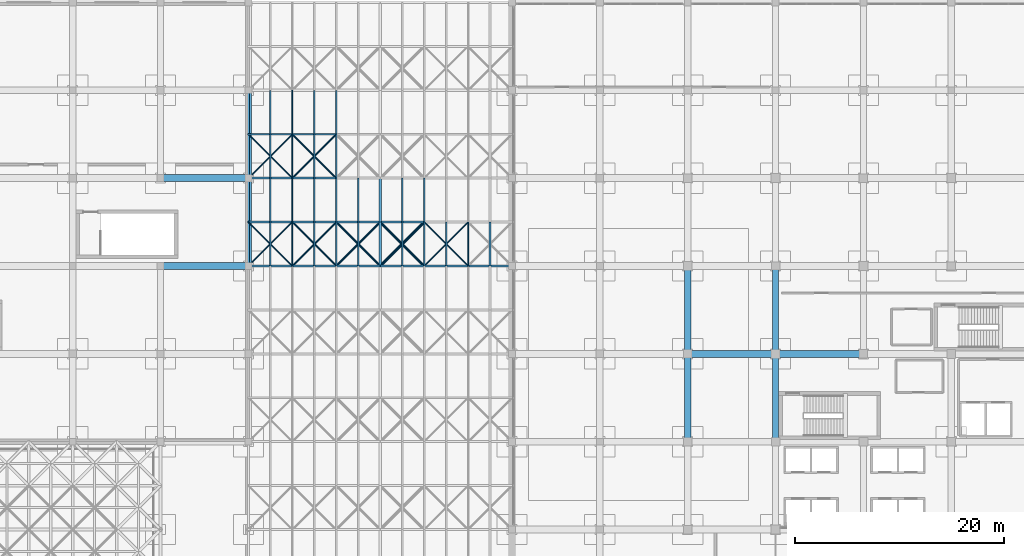
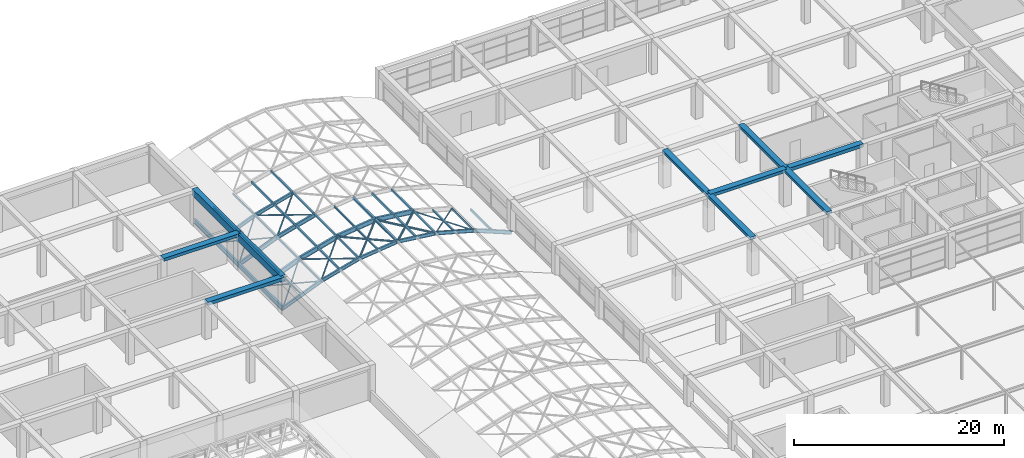
# One storey, part 38 of 85: 55 members, 12 beams.
"""IFC4 building model written with IfcOpenShell, lengths in metres."""

from ifc_helpers import new_model, si_unit, direction, frame, origin, origin_2d, place, context, subcontext, project, spatial, rectangle, hollow_rectangle, hollow_circle, i_section, extrude, material, material_profile, profile_set, type_object, element, save


model = new_model("IFC4")

# Units and contexts
model_context = context("Model", 3, precision=1e-05, world=origin(), true_north=direction((0.0, 1.0)))
body_context = subcontext(model_context, "Body", "Model", "MODEL_VIEW")
ifc_project = project(units=[si_unit("LENGTHUNIT", "METRE"), si_unit("AREAUNIT", "SQUARE_METRE"), si_unit("VOLUMEUNIT", "CUBIC_METRE"), si_unit("PLANEANGLEUNIT", "RADIAN"), si_unit("MASSUNIT", "GRAM", prefix="KILO")], contexts=[model_context])

# Site, building, storey
site_placement = place(None, origin())
site = spatial("IfcSite", under=ifc_project, at=site_placement, CompositionType="ELEMENT")
building_placement = place(site_placement, origin())
building = spatial("IfcBuilding", under=site, at=building_placement, Name="Almacenes y Pasaje Nevantli", CompositionType="ELEMENT")
storey_placement = place(building_placement, frame((0.0, 0.0, 22.199951171875)))
storey = spatial("IfcBuildingStorey", under=building, at=storey_placement, Name="L05", CompositionType="ELEMENT", Elevation=22.199951171875)

# Beams
ifc_material_1 = material(Name="Concrete C35/45", Category="concrete")
ifc_material_profile_1 = material_profile(ifc_material_1, rectangle(XDim=0.550048828125, YDim=0.800048828125, at=origin_2d()), Name="RC-BM-550x800")
ifc_profile_set_1 = profile_set([ifc_material_profile_1], Name="Concrete C35/45")
beam_type_1 = type_object("IfcBeamType", Name="BM-RC-550x800", PredefinedType="BEAM", material=ifc_profile_set_1)
beam_1_placement = place(storey_placement, frame((67.199951171875, 92.39990234375, 3.820068359375), z_axis=(0.0, 1.0, 0.0), x_axis=(-1.0, 0.0, 0.0)))
element("IfcBeam", 1, at=beam_1_placement, inside=storey, type_object=beam_type_1, Name="L05 North-South Reinforced Concrete Beam #3461", PredefinedType="BEAM", context=body_context, shape_type="SweptSolid", body=[
    extrude(rectangle(XDim=0.550048828125, YDim=0.800048828125, at=origin_2d()), origin(), (0.0, 0.0, 1.0), 8.400146484375),
])
beam_2_placement = place(storey_placement, frame((67.199951171875, 100.800048828125, 3.820068359375), z_axis=(0.0, 1.0, 0.0), x_axis=(-1.0, 0.0, 0.0)))
element("IfcBeam", 2, at=beam_2_placement, inside=storey, type_object=beam_type_1, Name="L05 North-South Reinforced Concrete Beam #3462", PredefinedType="BEAM", context=body_context, shape_type="SweptSolid", body=[
    extrude(rectangle(XDim=0.550048828125, YDim=0.800048828125, at=origin_2d()), origin(), (0.0, 0.0, 1.0), 8.39990234375),
])
ifc_material_2 = material(Name="Concrete C35/45", Category="concrete")
ifc_material_profile_2 = material_profile(ifc_material_2, rectangle(XDim=0.60009765625, YDim=0.320068359375, at=origin_2d()), Name="RC-BM-600x320")
ifc_profile_set_2 = profile_set([ifc_material_profile_2], Name="Concrete C35/45")
beam_type_2 = type_object("IfcBeamType", Name="BM-RC-600x320", PredefinedType="BEAM", material=ifc_profile_set_2)
for number, where, z_axis, x_axis, name in (
    (3, (109.199951171875, 84.0, 4.06005859375), (0.0, 1.0, 0.0), (-1.0, 0.0, 0.0), "L05 North-South Reinforced Concrete Beam #3500"),
    (4, (117.60009765625, 75.60009765625, 4.06005859375), (0.0, 1.0, 0.0), (-1.0, 0.0, 0.0), "L05 North-South Reinforced Concrete Beam #3508"),
):
    element("IfcBeam", number, at=place(storey_placement, frame(where, z_axis=z_axis, x_axis=x_axis)), inside=storey, type_object=beam_type_2, Name=name, PredefinedType="BEAM", context=body_context, shape_type="SweptSolid", body=[
        extrude(rectangle(XDim=0.60009765625, YDim=0.320068359375, at=origin_2d()), origin(), (0.0, 0.0, 1.0), 8.39990234375),
    ])
ifc_material_3 = material(Name="Concrete C35/45", Category="concrete")
ifc_material_profile_3 = material_profile(ifc_material_3, rectangle(XDim=0.60009765625, YDim=0.340087890625, at=origin_2d()), Name="RC-BM-600x340")
ifc_profile_set_3 = profile_set([ifc_material_profile_3], Name="Concrete C35/45")
beam_type_3 = type_object("IfcBeamType", Name="BM-RC-600x340", PredefinedType="BEAM", material=ifc_profile_set_3)
for number, where, z_axis, x_axis, name in (
    (5, (109.199951171875, 75.60009765625, 4.050048828125), (0.0, 1.0, 0.0), (-1.0, 0.0, 0.0), "L05 North-South Reinforced Concrete Beam #3499"),
    (6, (117.60009765625, 84.0, 4.050048828125), (0.0, 1.0, 0.0), (-1.0, 0.0, 0.0), "L05 North-South Reinforced Concrete Beam #3509"),
):
    element("IfcBeam", number, at=place(storey_placement, frame(where, z_axis=z_axis, x_axis=x_axis)), inside=storey, type_object=beam_type_3, Name=name, PredefinedType="BEAM", context=body_context, shape_type="SweptSolid", body=[
        extrude(rectangle(XDim=0.60009765625, YDim=0.340087890625, at=origin_2d()), origin(), (0.0, 0.0, 1.0), 8.39990234375),
    ])
ifc_material_4 = material(Name="Concrete C35/45", Category="concrete")
ifc_material_profile_4 = material_profile(ifc_material_4, rectangle(XDim=0.64990234375, YDim=0.35009765625, at=origin_2d()), Name="RC-BM-650x350")
ifc_profile_set_4 = profile_set([ifc_material_profile_4], Name="Concrete C35/45")
beam_type_4 = type_object("IfcBeamType", Name="BM-RC-650x350", PredefinedType="BEAM", material=ifc_profile_set_4)
beam_3_placement = place(storey_placement, frame((109.199951171875, 84.0, 4.045166015625), z_axis=(1.0, 0.0, 0.0), x_axis=(0.0, 1.0, 0.0)))
element("IfcBeam", 7, at=beam_3_placement, inside=storey, type_object=beam_type_4, Name="L05 East-West Reinforced Concrete Beam #3347", PredefinedType="BEAM", context=body_context, shape_type="SweptSolid", body=[
    extrude(rectangle(XDim=0.64990234375, YDim=0.35009765625, at=origin_2d()), origin(), (0.0, 0.0, 1.0), 8.400146484375),
])
beam_4_placement = place(storey_placement, frame((58.800048828125, 100.800048828125, 4.045166015625), z_axis=(1.0, 0.0, 0.0), x_axis=(0.0, 1.0, 0.0)))
element("IfcBeam", 8, at=beam_4_placement, inside=storey, type_object=beam_type_4, Name="L05 East-West Reinforced Concrete Beam #3378", PredefinedType="BEAM", context=body_context, shape_type="SweptSolid", body=[
    extrude(rectangle(XDim=0.64990234375, YDim=0.35009765625, at=origin_2d()), origin(), (0.0, 0.0, 1.0), 8.39990234375),
])
ifc_material_5 = material(Name="Concrete C35/45", Category="concrete")
ifc_material_profile_5 = material_profile(ifc_material_5, rectangle(XDim=0.64990234375, YDim=0.3798828125, at=origin_2d()), Name="RC-BM-650x380")
ifc_profile_set_5 = profile_set([ifc_material_profile_5], Name="Concrete C35/45")
beam_type_5 = type_object("IfcBeamType", Name="BM-RC-650x380", PredefinedType="BEAM", material=ifc_profile_set_5)
for number, where, z_axis, x_axis, name in (
    (9, (117.60009765625, 84.0, 4.030029296875), (1.0, 0.0, 0.0), (0.0, 1.0, 0.0), "L05 East-West Reinforced Concrete Beam #3348"),
    (10, (58.800048828125, 92.39990234375, 4.030029296875), (1.0, 0.0, 0.0), (0.0, 1.0, 0.0), "L05 East-West Reinforced Concrete Beam #3361"),
):
    element("IfcBeam", number, at=place(storey_placement, frame(where, z_axis=z_axis, x_axis=x_axis)), inside=storey, type_object=beam_type_5, Name=name, PredefinedType="BEAM", context=body_context, shape_type="SweptSolid", body=[
        extrude(rectangle(XDim=0.64990234375, YDim=0.3798828125, at=origin_2d()), origin(), (0.0, 0.0, 1.0), 8.39990234375),
    ])
ifc_material_6 = material(Name="Steel ASTM A992", Category="steel")
ifc_material_profile_6 = material_profile(ifc_material_6, i_section(OverallWidth=0.208984375, OverallDepth=0.532958984375, WebThickness=0.01025390625, FlangeThickness=0.015625, at=origin_2d()), Name="IR 533x92.5")
ifc_profile_set_6 = profile_set([ifc_material_profile_6], Name="Steel ASTM A992")
beam_type_6 = type_object("IfcBeamType", Name="BM-STL-IR-533x92p5", PredefinedType="BEAM", material=ifc_profile_set_6)
beam_5_placement = place(storey_placement, frame((67.199951171875, 92.39990234375, 0.400146484375), z_axis=(0.0, 1.0, 0.0), x_axis=(-1.0, 0.0, 0.0)))
element("IfcBeam", 11, at=beam_5_placement, inside=storey, type_object=beam_type_6, Name="L05 Arcade Barrel Vault Eave Steel Girder #1.12", PredefinedType="BEAM", context=body_context, shape_type="SweptSolid", body=[
    extrude(i_section(OverallWidth=0.208984375, OverallDepth=0.532958984375, WebThickness=0.01025390625, FlangeThickness=0.015625, at=origin_2d()), origin(), (0.0, 0.0, 1.0), 8.400146484375),
])
beam_6_placement = place(storey_placement, frame((67.199951171875, 100.800048828125, 0.400146484375), z_axis=(0.0, 1.0, 0.0), x_axis=(-1.0, 0.0, 0.0)))
element("IfcBeam", 12, at=beam_6_placement, inside=storey, type_object=beam_type_6, Name="L05 Arcade Barrel Vault Eave Steel Girder #1.13", PredefinedType="BEAM", context=body_context, shape_type="SweptSolid", body=[
    extrude(i_section(OverallWidth=0.208984375, OverallDepth=0.532958984375, WebThickness=0.01025390625, FlangeThickness=0.015625, at=origin_2d()), origin(), (0.0, 0.0, 1.0), 8.39990234375),
])

# Members
ifc_material_7 = material(Name="Steel ASTM A992", Category="steel")
ifc_material_profile_7 = material_profile(ifc_material_7, i_section(OverallWidth=0.180908203125, OverallDepth=0.406005859375, WebThickness=0.010986328125, FlangeThickness=0.018310546875, at=origin_2d()), Name="IR 406x85.0")
ifc_profile_set_7 = profile_set([ifc_material_profile_7], Name="Steel ASTM A992")
member_type_1 = type_object("IfcMemberType", Name="MBR-ARCH-IR406x85", PredefinedType="USERDEFINED", material=ifc_profile_set_7)
member_1_placement = place(storey_placement, frame((67.199951171875, 92.39990234375, 0.400146484375), z_axis=(0.926949044115, 0.0, 0.375187246072), x_axis=(0.0, 1.0, 0.0)))
element("IfcMember", 13, at=member_1_placement, inside=storey, type_object=member_type_1, Name="Arcade Barrel Vault Steel Arch Rib 23.1", ObjectType="ARCH RIB", PredefinedType="USERDEFINED", context=body_context, shape_type="SweptSolid", body=[
    extrude(i_section(OverallWidth=0.180908203125, OverallDepth=0.406005859375, WebThickness=0.010986328125, FlangeThickness=0.018310546875, at=origin_2d()), origin(), (0.0, 0.0, 1.0), 4.531005859375),
])
member_2_placement = place(storey_placement, frame((71.39990234375, 92.39990234375, 2.10009765625), z_axis=(0.964507199401, 0.0, 0.264056551336), x_axis=(0.0, 1.0, 0.0)))
element("IfcMember", 14, at=member_2_placement, inside=storey, type_object=member_type_1, Name="Arcade Barrel Vault Steel Arch Rib 23.2", ObjectType="ARCH RIB", PredefinedType="USERDEFINED", context=body_context, shape_type="SweptSolid", body=[
    extrude(i_section(OverallWidth=0.180908203125, OverallDepth=0.406005859375, WebThickness=0.010986328125, FlangeThickness=0.018310546875, at=origin_2d()), origin(), (0.0, 0.0, 1.0), 4.354736328125),
])
for number, where, z_axis, x_axis, name in (
    (15, (75.60009765625, 92.39990234375, 3.25), (0.99298811287, 0.0, 0.118214244908), (0.0, 1.0, 0.0), "Arcade Barrel Vault Steel Arch Rib 23.3"),
    (16, (79.800048828125, 92.39990234375, 3.75), (0.99298811287, 0.0, -0.118214244908), (0.0, 1.0, 0.0), "Arcade Barrel Vault Steel Arch Rib 23.4"),
):
    element("IfcMember", number, at=place(storey_placement, frame(where, z_axis=z_axis, x_axis=x_axis)), inside=storey, type_object=member_type_1, Name=name, ObjectType="ARCH RIB", PredefinedType="USERDEFINED", context=body_context, shape_type="SweptSolid", body=[
        extrude(i_section(OverallWidth=0.180908203125, OverallDepth=0.406005859375, WebThickness=0.010986328125, FlangeThickness=0.018310546875, at=origin_2d()), origin(), (0.0, 0.0, 1.0), 4.2294921875),
    ])
member_3_placement = place(storey_placement, frame((84.0, 92.39990234375, 3.25), z_axis=(0.964503290046, 0.0, -0.264070830443), x_axis=(0.0, 1.0, 0.0)))
element("IfcMember", 17, at=member_3_placement, inside=storey, type_object=member_type_1, Name="Arcade Barrel Vault Steel Arch Rib 23.5", ObjectType="ARCH RIB", PredefinedType="USERDEFINED", context=body_context, shape_type="SweptSolid", body=[
    extrude(i_section(OverallWidth=0.180908203125, OverallDepth=0.406005859375, WebThickness=0.010986328125, FlangeThickness=0.018310546875, at=origin_2d()), origin(), (0.0, 0.0, 1.0), 4.3544921875),
])
for number, where, z_axis, x_axis, name in (
    (18, (88.199951171875, 92.39990234375, 2.10009765625), (0.926949044115, 0.0, -0.375187246072), (0.0, 1.0, 0.0), "Arcade Barrel Vault Steel Arch Rib 23.6"),
    (19, (67.199951171875, 105.0, 0.400146484375), (0.926949044115, 0.0, 0.375187246072), (0.0, 1.0, 0.0), "Arcade Barrel Vault Steel Arch Rib 26.1"),
):
    element("IfcMember", number, at=place(storey_placement, frame(where, z_axis=z_axis, x_axis=x_axis)), inside=storey, type_object=member_type_1, Name=name, ObjectType="ARCH RIB", PredefinedType="USERDEFINED", context=body_context, shape_type="SweptSolid", body=[
        extrude(i_section(OverallWidth=0.180908203125, OverallDepth=0.406005859375, WebThickness=0.010986328125, FlangeThickness=0.018310546875, at=origin_2d()), origin(), (0.0, 0.0, 1.0), 4.531005859375),
    ])
member_4_placement = place(storey_placement, frame((71.39990234375, 105.0, 2.10009765625), z_axis=(0.964507199401, 0.0, 0.264056551336), x_axis=(0.0, 1.0, 0.0)))
element("IfcMember", 20, at=member_4_placement, inside=storey, type_object=member_type_1, Name="Arcade Barrel Vault Steel Arch Rib 26.2", ObjectType="ARCH RIB", PredefinedType="USERDEFINED", context=body_context, shape_type="SweptSolid", body=[
    extrude(i_section(OverallWidth=0.180908203125, OverallDepth=0.406005859375, WebThickness=0.010986328125, FlangeThickness=0.018310546875, at=origin_2d()), origin(), (0.0, 0.0, 1.0), 4.354736328125),
])
ifc_material_8 = material(Name="Steel ASTM A992", Category="steel")
ifc_material_profile_8 = material_profile(ifc_material_8, i_section(OverallWidth=0.193115234375, OverallDepth=0.4599609375, WebThickness=0.011474609375, FlangeThickness=0.01904296875, at=origin_2d()), Name="IR 457x96.7")
ifc_profile_set_8 = profile_set([ifc_material_profile_8], Name="Steel ASTM A992")
member_type_2 = type_object("IfcMemberType", Name="MBR-ARCH-IR457x96", PredefinedType="USERDEFINED", material=ifc_profile_set_8)
member_5_placement = place(storey_placement, frame((67.199951171875, 100.800048828125, 0.400146484375), z_axis=(0.926949044115, 0.0, 0.375187246072), x_axis=(0.0, 1.0, 0.0)))
element("IfcMember", 21, at=member_5_placement, inside=storey, type_object=member_type_2, Name="Arcade Barrel Vault Steel Arch Rib 25.1", ObjectType="ARCH RIB", PredefinedType="USERDEFINED", context=body_context, shape_type="SweptSolid", body=[
    extrude(i_section(OverallWidth=0.193115234375, OverallDepth=0.4599609375, WebThickness=0.011474609375, FlangeThickness=0.01904296875, at=origin_2d()), origin(), (0.0, 0.0, 1.0), 4.531005859375),
])
member_6_placement = place(storey_placement, frame((71.39990234375, 100.800048828125, 2.10009765625), z_axis=(0.964507199401, 0.0, 0.264056551336), x_axis=(0.0, 1.0, 0.0)))
element("IfcMember", 22, at=member_6_placement, inside=storey, type_object=member_type_2, Name="Arcade Barrel Vault Steel Arch Rib 25.2", ObjectType="ARCH RIB", PredefinedType="USERDEFINED", context=body_context, shape_type="SweptSolid", body=[
    extrude(i_section(OverallWidth=0.193115234375, OverallDepth=0.4599609375, WebThickness=0.011474609375, FlangeThickness=0.01904296875, at=origin_2d()), origin(), (0.0, 0.0, 1.0), 4.354736328125),
])
ifc_material_9 = material(Name="Steel ASTM A992", Category="steel")
ifc_material_profile_9 = material_profile(ifc_material_9, i_section(OverallWidth=0.208984375, OverallDepth=0.532958984375, WebThickness=0.01025390625, FlangeThickness=0.015625, at=origin_2d()), Name="IR 533x92.5")
ifc_profile_set_9 = profile_set([ifc_material_profile_9], Name="Steel ASTM A992")
member_type_3 = type_object("IfcMemberType", Name="MBR-ARCH-IR533x92", PredefinedType="USERDEFINED", material=ifc_profile_set_9)
member_7_placement = place(storey_placement, frame((67.199951171875, 96.60009765625, 0.400146484375), z_axis=(0.926949044115, 0.0, 0.375187246072), x_axis=(0.0, 1.0, 0.0)))
element("IfcMember", 23, at=member_7_placement, inside=storey, type_object=member_type_3, Name="Arcade Barrel Vault Steel Arch Rib 24.1", ObjectType="ARCH RIB", PredefinedType="USERDEFINED", context=body_context, shape_type="SweptSolid", body=[
    extrude(i_section(OverallWidth=0.208984375, OverallDepth=0.532958984375, WebThickness=0.01025390625, FlangeThickness=0.015625, at=origin_2d()), origin(), (0.0, 0.0, 1.0), 4.531005859375),
])
member_8_placement = place(storey_placement, frame((71.39990234375, 96.60009765625, 2.10009765625), z_axis=(0.964507199401, 0.0, 0.264056551336), x_axis=(0.0, 1.0, 0.0)))
element("IfcMember", 24, at=member_8_placement, inside=storey, type_object=member_type_3, Name="Arcade Barrel Vault Steel Arch Rib 24.2", ObjectType="ARCH RIB", PredefinedType="USERDEFINED", context=body_context, shape_type="SweptSolid", body=[
    extrude(i_section(OverallWidth=0.208984375, OverallDepth=0.532958984375, WebThickness=0.01025390625, FlangeThickness=0.015625, at=origin_2d()), origin(), (0.0, 0.0, 1.0), 4.354736328125),
])
for number, where, z_axis, x_axis, name in (
    (25, (75.60009765625, 96.60009765625, 3.25), (0.99298811287, 0.0, 0.118214244908), (0.0, 1.0, 0.0), "Arcade Barrel Vault Steel Arch Rib 24.3"),
    (26, (79.800048828125, 96.60009765625, 3.75), (0.99298811287, 0.0, -0.118214244908), (0.0, 1.0, 0.0), "Arcade Barrel Vault Steel Arch Rib 24.4"),
):
    element("IfcMember", number, at=place(storey_placement, frame(where, z_axis=z_axis, x_axis=x_axis)), inside=storey, type_object=member_type_3, Name=name, ObjectType="ARCH RIB", PredefinedType="USERDEFINED", context=body_context, shape_type="SweptSolid", body=[
        extrude(i_section(OverallWidth=0.208984375, OverallDepth=0.532958984375, WebThickness=0.01025390625, FlangeThickness=0.015625, at=origin_2d()), origin(), (0.0, 0.0, 1.0), 4.2294921875),
    ])
ifc_material_10 = material(Name="Steel ASTM A500 Grade C", Category="steel")
ifc_material_profile_10 = material_profile(ifc_material_10, hollow_circle(Radius=0.070556640625, WallThickness=0.006591796875, at=origin_2d()), Name="OC 141x6.6")
ifc_profile_set_10 = profile_set([ifc_material_profile_10], Name="Steel ASTM A500 Grade C")
member_type_4 = type_object("IfcMemberType", Name="MBR-BRC-OC141", PredefinedType="BRACE", material=ifc_profile_set_10)
for number, where, z_axis, x_axis, name in (
    (27, (67.199951171875, 92.39990234375, 0.400146484375), (0.679793653327, 0.679833169322, 0.275149869681), (-0.707127332136, 0.70708622964, 0.0), "Arcade Barrel Vault Wind Brace 23.1A"),
    (28, (71.39990234375, 92.39990234375, 2.10009765625), (-0.679793653327, 0.679833169322, -0.275149869681), (-0.707127332136, -0.70708622964, 0.0), "Arcade Barrel Vault Wind Brace 23.1B"),
):
    element("IfcMember", number, at=place(storey_placement, frame(where, z_axis=z_axis, x_axis=x_axis)), inside=storey, type_object=member_type_4, Name=name, PredefinedType="BRACE", context=body_context, shape_type="SweptSolid", body=[
        extrude(hollow_circle(Radius=0.070556640625, WallThickness=0.006591796875, at=origin_2d()), origin(), (0.0, 0.0, 1.0), 6.17822265625),
    ])
for number, where, z_axis, x_axis, name in (
    (29, (84.0, 92.39990234375, 3.25), (0.694197266374, 0.694237619642, -0.19006389145), (-0.707127332136, 0.70708622964, 0.0), "Arcade Barrel Vault Wind Brace 23.5A"),
    (30, (88.199951171875, 92.39990234375, 2.10009765625), (-0.694197266374, 0.694237619642, 0.19006389145), (-0.707127332136, -0.70708622964, 0.0), "Arcade Barrel Vault Wind Brace 23.5B"),
):
    element("IfcMember", number, at=place(storey_placement, frame(where, z_axis=z_axis, x_axis=x_axis)), inside=storey, type_object=member_type_4, Name=name, PredefinedType="BRACE", context=body_context, shape_type="SweptSolid", body=[
        extrude(hollow_circle(Radius=0.070556640625, WallThickness=0.006591796875, at=origin_2d()), origin(), (0.0, 0.0, 1.0), 6.050048828125),
    ])
for number, where, z_axis, x_axis, name in (
    (31, (67.199951171875, 100.800048828125, 0.400146484375), (0.679811915702, 0.679811915702, 0.275157261468), (-0.707106781187, 0.707106781187, 0.0), "Arcade Barrel Vault Wind Brace 25.1A"),
    (32, (71.39990234375, 100.800048828125, 2.10009765625), (-0.679811915702, 0.679811915702, -0.275157261468), (-0.707106781187, -0.707106781187, 0.0), "Arcade Barrel Vault Wind Brace 25.1B"),
):
    element("IfcMember", number, at=place(storey_placement, frame(where, z_axis=z_axis, x_axis=x_axis)), inside=storey, type_object=member_type_4, Name=name, PredefinedType="BRACE", context=body_context, shape_type="SweptSolid", body=[
        extrude(hollow_circle(Radius=0.070556640625, WallThickness=0.006591796875, at=origin_2d()), origin(), (0.0, 0.0, 1.0), 6.17822265625),
    ])
ifc_material_11 = material(Name="Steel ASTM A500 Grade C", Category="steel")
ifc_material_profile_11 = material_profile(ifc_material_11, hollow_circle(Radius=0.084228515625, WallThickness=0.007080078125, at=origin_2d()), Name="OC 168x7.1")
ifc_profile_set_11 = profile_set([ifc_material_profile_11], Name="Steel ASTM A500 Grade C")
member_type_5 = type_object("IfcMemberType", Name="MBR-BRC-OC168", PredefinedType="BRACE", material=ifc_profile_set_11)
for number, where, z_axis, x_axis, name in (
    (33, (71.39990234375, 92.39990234375, 2.10009765625), (0.694218172126, 0.694218172126, 0.190058567235), (-0.707106781187, 0.707106781187, 0.0), "Arcade Barrel Vault Wind Brace 23.2A"),
    (34, (75.60009765625, 92.39990234375, 3.25), (-0.694218172126, 0.694218172126, -0.190058567235), (-0.707106781187, -0.707106781187, 0.0), "Arcade Barrel Vault Wind Brace 23.2B"),
):
    element("IfcMember", number, at=place(storey_placement, frame(where, z_axis=z_axis, x_axis=x_axis)), inside=storey, type_object=member_type_5, Name=name, PredefinedType="BRACE", context=body_context, shape_type="SweptSolid", body=[
        extrude(hollow_circle(Radius=0.084228515625, WallThickness=0.007080078125, at=origin_2d()), origin(), (0.0, 0.0, 1.0), 6.05029296875),
    ])
for number, where, z_axis, x_axis, name in (
    (35, (71.39990234375, 100.800048828125, 2.10009765625), (0.694237619642, 0.694197266374, 0.19006389145), (-0.70708622964, 0.707127332136, 0.0), "Arcade Barrel Vault Wind Brace 25.2A"),
    (36, (75.60009765625, 100.800048828125, 3.25), (-0.694237619642, 0.694197266374, -0.19006389145), (-0.70708622964, -0.707127332136, 0.0), "Arcade Barrel Vault Wind Brace 25.2B"),
):
    element("IfcMember", number, at=place(storey_placement, frame(where, z_axis=z_axis, x_axis=x_axis)), inside=storey, type_object=member_type_5, Name=name, PredefinedType="BRACE", context=body_context, shape_type="SweptSolid", body=[
        extrude(hollow_circle(Radius=0.084228515625, WallThickness=0.007080078125, at=origin_2d()), origin(), (0.0, 0.0, 1.0), 6.050048828125),
    ])
ifc_material_12 = material(Name="Steel ASTM A500 Grade C", Category="steel")
ifc_material_profile_12 = material_profile(ifc_material_12, hollow_circle(Radius=0.109619140625, WallThickness=0.00830078125, at=origin_2d()), Name="OC 219x8.2")
ifc_profile_set_12 = profile_set([ifc_material_profile_12], Name="Steel ASTM A500 Grade C")
member_type_6 = type_object("IfcMemberType", Name="MBR-BRC-OC219", PredefinedType="BRACE", material=ifc_profile_set_12)
for number, where, z_axis, x_axis, name in (
    (37, (75.60009765625, 92.39990234375, 3.25), (0.704594286671, 0.704635244311, 0.083881247405), (-0.707127332136, 0.70708622964, 0.0), "Arcade Barrel Vault Wind Brace 23.3A"),
    (38, (79.800048828125, 92.39990234375, 3.75), (-0.704594286671, 0.704635244311, -0.083881247405), (-0.707127332136, -0.70708622964, 0.0), "Arcade Barrel Vault Wind Brace 23.3B"),
):
    element("IfcMember", number, at=place(storey_placement, frame(where, z_axis=z_axis, x_axis=x_axis)), inside=storey, type_object=member_type_6, Name=name, PredefinedType="BRACE", context=body_context, shape_type="SweptSolid", body=[
        extrude(hollow_circle(Radius=0.109619140625, WallThickness=0.00830078125, at=origin_2d()), origin(), (0.0, 0.0, 1.0), 5.960693359375),
    ])
ifc_material_13 = material(Name="Steel ASTM A500 Grade C", Category="steel")
ifc_material_profile_13 = material_profile(ifc_material_13, hollow_circle(Radius=0.122314453125, WallThickness=0.0087890625, at=origin_2d()), Name="OC 244x8.9")
ifc_profile_set_13 = profile_set([ifc_material_profile_13], Name="Steel ASTM A500 Grade C")
member_type_7 = type_object("IfcMemberType", Name="MBR-BRC-OC244", PredefinedType="BRACE", material=ifc_profile_set_13)
for number, where, z_axis, x_axis, name in (
    (39, (79.800048828125, 92.39990234375, 3.75), (0.704594286671, 0.704635244311, -0.083881247405), (-0.707127332136, 0.70708622964, 0.0), "Arcade Barrel Vault Wind Brace 23.4A"),
    (40, (84.0, 92.39990234375, 3.25), (-0.704594286671, 0.704635244311, 0.083881247405), (-0.707127332136, -0.70708622964, 0.0), "Arcade Barrel Vault Wind Brace 23.4B"),
):
    element("IfcMember", number, at=place(storey_placement, frame(where, z_axis=z_axis, x_axis=x_axis)), inside=storey, type_object=member_type_7, Name=name, PredefinedType="BRACE", context=body_context, shape_type="SweptSolid", body=[
        extrude(hollow_circle(Radius=0.122314453125, WallThickness=0.0087890625, at=origin_2d()), origin(), (0.0, 0.0, 1.0), 5.960693359375),
    ])
ifc_material_14 = material(Name="Steel ASTM A992", Category="steel")
ifc_material_profile_14 = material_profile(ifc_material_14, i_section(OverallWidth=0.134033203125, OverallDepth=0.2099609375, WebThickness=0.00634765625, FlangeThickness=0.01025390625, at=origin_2d()), Name="IR 203x31.3")
ifc_profile_set_14 = profile_set([ifc_material_profile_14], Name="Steel ASTM A992")
member_type_8 = type_object("IfcMemberType", Name="MBR-PUR-IR203x31", PredefinedType="PURLIN", material=ifc_profile_set_14)
for number, where, z_axis, x_axis, name in (
    (41, (69.300048828125, 92.39990234375, 1.25), (0.0, 1.0, 0.0), (-1.0, 0.0, 0.0), "Arcade Barrel Vault Secondary Steel Purlin #248"),
    (42, (77.699951171875, 92.39990234375, 3.5), (0.0, 1.0, 0.0), (-1.0, 0.0, 0.0), "Arcade Barrel Vault Secondary Steel Purlin #250"),
    (43, (86.10009765625, 92.39990234375, 2.675048828125), (0.0, 1.0, 0.0), (-1.0, 0.0, 0.0), "Arcade Barrel Vault Secondary Steel Purlin #252"),
):
    element("IfcMember", number, at=place(storey_placement, frame(where, z_axis=z_axis, x_axis=x_axis)), inside=storey, type_object=member_type_8, Name=name, PredefinedType="PURLIN", context=body_context, shape_type="SweptSolid", body=[
        extrude(i_section(OverallWidth=0.134033203125, OverallDepth=0.2099609375, WebThickness=0.00634765625, FlangeThickness=0.01025390625, at=origin_2d()), origin(), (0.0, 0.0, 1.0), 4.2001953125),
    ])
for number, where, z_axis, x_axis, name in (
    (44, (69.300048828125, 96.60009765625, 1.25), (0.0, 1.0, 0.0), (-1.0, 0.0, 0.0), "Arcade Barrel Vault Secondary Steel Purlin #259"),
    (45, (77.699951171875, 96.60009765625, 3.5), (0.0, 1.0, 0.0), (-1.0, 0.0, 0.0), "Arcade Barrel Vault Secondary Steel Purlin #261"),
    (46, (69.300048828125, 100.800048828125, 1.25), (0.0, 1.0, 0.0), (-1.0, 0.0, 0.0), "Arcade Barrel Vault Secondary Steel Purlin #270"),
    (47, (69.300048828125, 105.0, 1.25), (0.0, 1.0, 0.0), (-1.0, 0.0, 0.0), "Arcade Barrel Vault Secondary Steel Purlin #281"),
):
    element("IfcMember", number, at=place(storey_placement, frame(where, z_axis=z_axis, x_axis=x_axis)), inside=storey, type_object=member_type_8, Name=name, PredefinedType="PURLIN", context=body_context, shape_type="SweptSolid", body=[
        extrude(i_section(OverallWidth=0.134033203125, OverallDepth=0.2099609375, WebThickness=0.00634765625, FlangeThickness=0.01025390625, at=origin_2d()), origin(), (0.0, 0.0, 1.0), 4.199951171875),
    ])
ifc_material_15 = material(Name="Steel ASTM A992", Category="steel")
ifc_material_profile_15 = material_profile(ifc_material_15, i_section(OverallWidth=0.202880859375, OverallDepth=0.25390625, WebThickness=0.00732421875, FlangeThickness=0.010986328125, at=origin_2d()), Name="IR 254x49.1")
ifc_profile_set_15 = profile_set([ifc_material_profile_15], Name="Steel ASTM A992")
member_type_9 = type_object("IfcMemberType", Name="MBR-PUR-IR254x49", PredefinedType="PURLIN", material=ifc_profile_set_15)
member_9_placement = place(storey_placement, frame((79.800048828125, 92.39990234375, 3.75), z_axis=(0.0, 1.0, 0.0), x_axis=(-1.0, 0.0, 0.0)))
element("IfcMember", 48, at=member_9_placement, inside=storey, type_object=member_type_9, Name="Arcade Barrel Vault Steel Purlin #245", PredefinedType="PURLIN", context=body_context, shape_type="SweptSolid", body=[
    extrude(i_section(OverallWidth=0.202880859375, OverallDepth=0.25390625, WebThickness=0.00732421875, FlangeThickness=0.010986328125, at=origin_2d()), origin(), (0.0, 0.0, 1.0), 4.2001953125),
])
member_10_placement = place(storey_placement, frame((79.800048828125, 96.60009765625, 3.75), z_axis=(0.0, 1.0, 0.0), x_axis=(-1.0, 0.0, 0.0)))
element("IfcMember", 49, at=member_10_placement, inside=storey, type_object=member_type_9, Name="Arcade Barrel Vault Steel Purlin #256", PredefinedType="PURLIN", context=body_context, shape_type="SweptSolid", body=[
    extrude(i_section(OverallWidth=0.202880859375, OverallDepth=0.25390625, WebThickness=0.00732421875, FlangeThickness=0.010986328125, at=origin_2d()), origin(), (0.0, 0.0, 1.0), 4.199951171875),
])
ifc_material_16 = material(Name="Steel ASTM A500 Grade C", Category="steel")
ifc_material_profile_16 = material_profile(ifc_material_16, hollow_rectangle(XDim=0.1015625, YDim=0.203125, WallThickness=0.0078125, at=origin_2d()), Name="OR 203x102x7.9")
ifc_profile_set_16 = profile_set([ifc_material_profile_16], Name="Steel ASTM A500 Grade C")
member_type_10 = type_object("IfcMemberType", Name="MBR-PUR-OR203x102", PredefinedType="PURLIN", material=ifc_profile_set_16)
for number, where, z_axis, x_axis, name in (
    (50, (71.39990234375, 92.39990234375, 2.10009765625), (0.0, 1.0, 0.0), (-1.0, 0.0, 0.0), "Arcade Barrel Vault Steel Purlin #243"),
    (51, (88.199951171875, 92.39990234375, 2.10009765625), (0.0, 1.0, 0.0), (-1.0, 0.0, 0.0), "Arcade Barrel Vault Steel Purlin #247"),
):
    element("IfcMember", number, at=place(storey_placement, frame(where, z_axis=z_axis, x_axis=x_axis)), inside=storey, type_object=member_type_10, Name=name, PredefinedType="PURLIN", context=body_context, shape_type="SweptSolid", body=[
        extrude(hollow_rectangle(XDim=0.1015625, YDim=0.203125, WallThickness=0.0078125, at=origin_2d()), origin(), (0.0, 0.0, 1.0), 4.2001953125),
    ])
for number, where, z_axis, x_axis, name in (
    (52, (71.39990234375, 96.60009765625, 2.10009765625), (0.0, 1.0, 0.0), (-1.0, 0.0, 0.0), "Arcade Barrel Vault Steel Purlin #254"),
    (53, (71.39990234375, 100.800048828125, 2.10009765625), (0.0, 1.0, 0.0), (-1.0, 0.0, 0.0), "Arcade Barrel Vault Steel Purlin #265"),
    (54, (71.39990234375, 105.0, 2.10009765625), (0.0, 1.0, 0.0), (-1.0, 0.0, 0.0), "Arcade Barrel Vault Steel Purlin #276"),
):
    element("IfcMember", number, at=place(storey_placement, frame(where, z_axis=z_axis, x_axis=x_axis)), inside=storey, type_object=member_type_10, Name=name, PredefinedType="PURLIN", context=body_context, shape_type="SweptSolid", body=[
        extrude(hollow_rectangle(XDim=0.1015625, YDim=0.203125, WallThickness=0.0078125, at=origin_2d()), origin(), (0.0, 0.0, 1.0), 4.199951171875),
    ])
ifc_material_17 = material(Name="Steel ASTM A500 Grade C", Category="steel")
ifc_material_profile_17 = material_profile(ifc_material_17, hollow_rectangle(XDim=0.15234375, YDim=0.203125, WallThickness=0.0078125, at=origin_2d()), Name="OR 203x152x7.9")
ifc_profile_set_17 = profile_set([ifc_material_profile_17], Name="Steel ASTM A500 Grade C")
member_type_11 = type_object("IfcMemberType", Name="MBR-PUR-OR203x152", PredefinedType="PURLIN", material=ifc_profile_set_17)
for number, where, z_axis, x_axis, name in (
    (55, (75.60009765625, 92.39990234375, 3.25), (0.0, 1.0, 0.0), (-1.0, 0.0, 0.0), "Arcade Barrel Vault Steel Purlin #244"),
    (56, (84.0, 92.39990234375, 3.25), (0.0, 1.0, 0.0), (-1.0, 0.0, 0.0), "Arcade Barrel Vault Steel Purlin #246"),
):
    element("IfcMember", number, at=place(storey_placement, frame(where, z_axis=z_axis, x_axis=x_axis)), inside=storey, type_object=member_type_11, Name=name, PredefinedType="PURLIN", context=body_context, shape_type="SweptSolid", body=[
        extrude(hollow_rectangle(XDim=0.15234375, YDim=0.203125, WallThickness=0.0078125, at=origin_2d()), origin(), (0.0, 0.0, 1.0), 4.2001953125),
    ])
for number, where, z_axis, x_axis, name in (
    (57, (75.60009765625, 96.60009765625, 3.25), (0.0, 1.0, 0.0), (-1.0, 0.0, 0.0), "Arcade Barrel Vault Steel Purlin #255"),
    (58, (84.0, 96.60009765625, 3.25), (0.0, 1.0, 0.0), (-1.0, 0.0, 0.0), "Arcade Barrel Vault Steel Purlin #257"),
    (59, (75.60009765625, 100.800048828125, 3.25), (0.0, 1.0, 0.0), (-1.0, 0.0, 0.0), "Arcade Barrel Vault Steel Purlin #266"),
    (60, (75.60009765625, 105.0, 3.25), (0.0, 1.0, 0.0), (-1.0, 0.0, 0.0), "Arcade Barrel Vault Steel Purlin #277"),
):
    element("IfcMember", number, at=place(storey_placement, frame(where, z_axis=z_axis, x_axis=x_axis)), inside=storey, type_object=member_type_11, Name=name, PredefinedType="PURLIN", context=body_context, shape_type="SweptSolid", body=[
        extrude(hollow_rectangle(XDim=0.15234375, YDim=0.203125, WallThickness=0.0078125, at=origin_2d()), origin(), (0.0, 0.0, 1.0), 4.199951171875),
    ])
ifc_material_18 = material(Name="Steel ASTM A500 Grade C", Category="steel")
ifc_material_profile_18 = material_profile(ifc_material_18, hollow_rectangle(XDim=0.15234375, YDim=0.25390625, WallThickness=0.009521484375, at=origin_2d()), Name="OR 254x152x9.5")
ifc_profile_set_18 = profile_set([ifc_material_profile_18], Name="Steel ASTM A500 Grade C")
member_type_12 = type_object("IfcMemberType", Name="MBR-PUR-OR254x152", PredefinedType="PURLIN", material=ifc_profile_set_18)
for number, where, z_axis, x_axis, name in (
    (61, (73.5, 92.39990234375, 2.675048828125), (0.0, 1.0, 0.0), (-1.0, 0.0, 0.0), "Arcade Barrel Vault Secondary Steel Purlin #249"),
    (62, (81.89990234375, 92.39990234375, 3.5), (0.0, 1.0, 0.0), (-1.0, 0.0, 0.0), "Arcade Barrel Vault Secondary Steel Purlin #251"),
    (63, (90.300048828125, 92.39990234375, 1.25), (0.0, 1.0, 0.0), (-1.0, 0.0, 0.0), "Arcade Barrel Vault Secondary Steel Purlin #253"),
):
    element("IfcMember", number, at=place(storey_placement, frame(where, z_axis=z_axis, x_axis=x_axis)), inside=storey, type_object=member_type_12, Name=name, PredefinedType="PURLIN", context=body_context, shape_type="SweptSolid", body=[
        extrude(hollow_rectangle(XDim=0.15234375, YDim=0.25390625, WallThickness=0.009521484375, at=origin_2d()), origin(), (0.0, 0.0, 1.0), 4.2001953125),
    ])
for number, where, z_axis, x_axis, name in (
    (64, (73.5, 96.60009765625, 2.675048828125), (0.0, 1.0, 0.0), (-1.0, 0.0, 0.0), "Arcade Barrel Vault Secondary Steel Purlin #260"),
    (65, (81.89990234375, 96.60009765625, 3.5), (0.0, 1.0, 0.0), (-1.0, 0.0, 0.0), "Arcade Barrel Vault Secondary Steel Purlin #262"),
    (66, (73.5, 100.800048828125, 2.675048828125), (0.0, 1.0, 0.0), (-1.0, 0.0, 0.0), "Arcade Barrel Vault Secondary Steel Purlin #271"),
    (67, (73.5, 105.0, 2.675048828125), (0.0, 1.0, 0.0), (-1.0, 0.0, 0.0), "Arcade Barrel Vault Secondary Steel Purlin #282"),
):
    element("IfcMember", number, at=place(storey_placement, frame(where, z_axis=z_axis, x_axis=x_axis)), inside=storey, type_object=member_type_12, Name=name, PredefinedType="PURLIN", context=body_context, shape_type="SweptSolid", body=[
        extrude(hollow_rectangle(XDim=0.15234375, YDim=0.25390625, WallThickness=0.009521484375, at=origin_2d()), origin(), (0.0, 0.0, 1.0), 4.199951171875),
    ])

save(model, "model.ifc")
